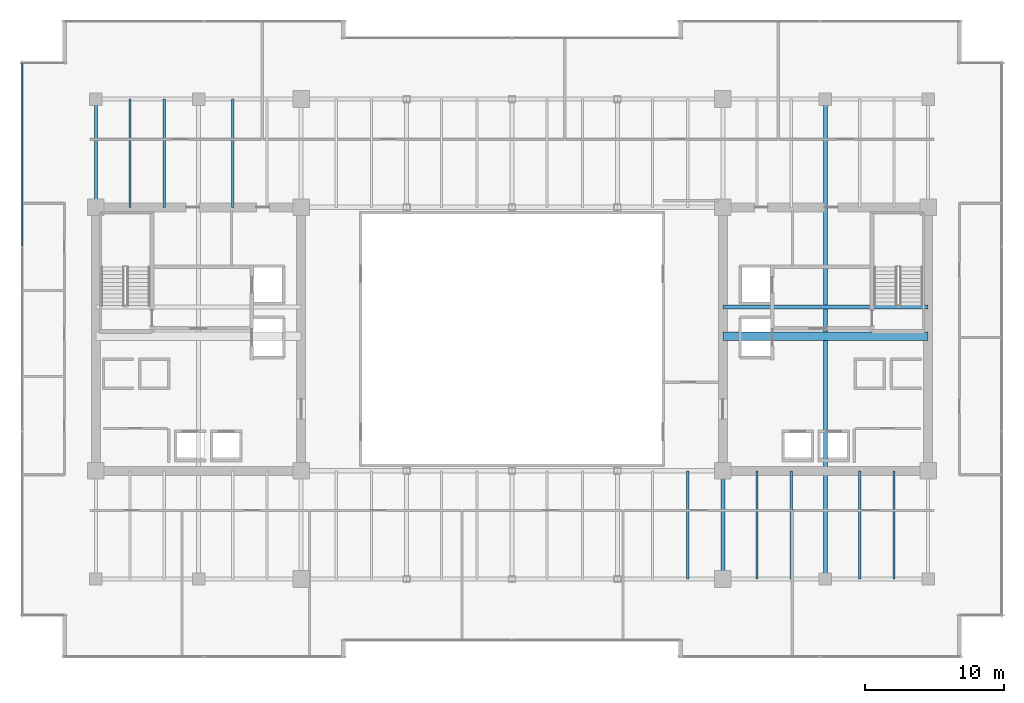
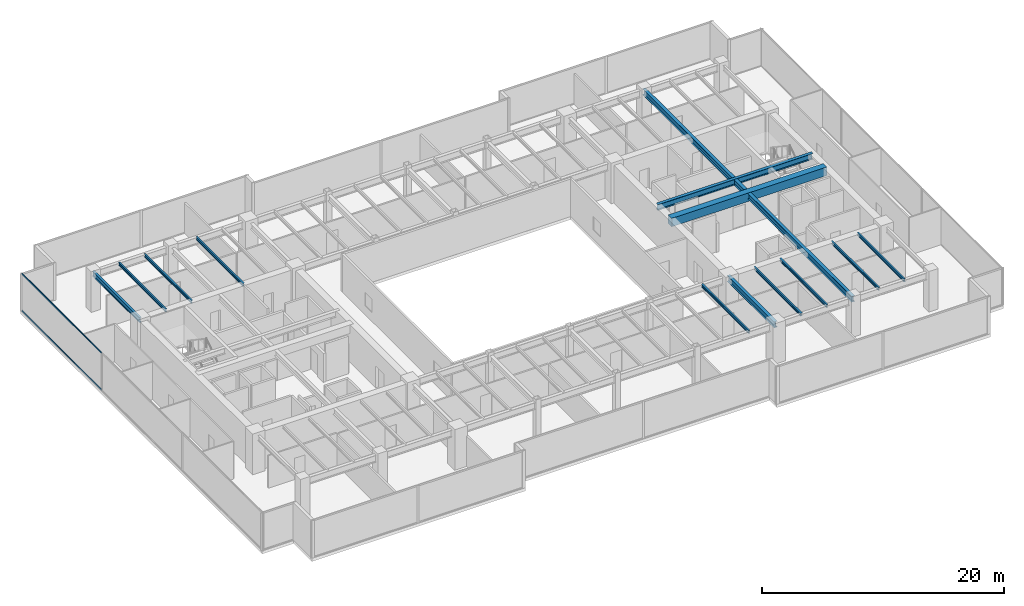
# One storey, part 13 of 30: 13 beams, 2 members, 1 element without a shape of its own.
"""IFC4 building model written with IfcOpenShell, lengths in metres."""

from ifc_helpers import new_model, si_unit, direction, frame, origin, origin_2d, place, context, subcontext, project, spatial, rectangle, hollow_rectangle, i_section, extrude, source, transform, mapped, material, layer, layer_set, material_profile, profile_set, type_object, type_shapes, element, aggregate, save


model = new_model("IFC4")

# Units and contexts
model_context = context("Model", 3, precision=1e-05, world=origin(), true_north=direction((0.0, 1.0)))
body_context = subcontext(model_context, "Body", "Model", "MODEL_VIEW")
ifc_project = project(units=[si_unit("LENGTHUNIT", "METRE"), si_unit("AREAUNIT", "SQUARE_METRE"), si_unit("VOLUMEUNIT", "CUBIC_METRE"), si_unit("PLANEANGLEUNIT", "RADIAN"), si_unit("MASSUNIT", "GRAM", prefix="KILO")], contexts=[model_context])

# Site, building, storey
site_placement = place(None, origin())
site = spatial("IfcSite", under=ifc_project, at=site_placement, CompositionType="ELEMENT")
building_placement = place(site_placement, origin())
building = spatial("IfcBuilding", under=site, at=building_placement, Name="Haelvirn Gate Laboratories", CompositionType="ELEMENT")
storey_placement = place(building_placement, frame((0.0, 0.0, 162.5)))
storey = spatial("IfcBuildingStorey", under=building, at=storey_placement, Name="L39", CompositionType="ELEMENT", Elevation=162.5)

# Beams
ifc_material_1 = material(Name="Steel SM355", Category="steel")
ifc_material_profile_1 = material_profile(ifc_material_1, i_section(OverallWidth=0.300048828125, OverallDepth=0.587890625, WebThickness=0.011962890625, FlangeThickness=0.02001953125, at=origin_2d()), Name="H-588x300x12x20")
ifc_profile_set_1 = profile_set([ifc_material_profile_1], Name="Steel SM355")
beam_type_1 = type_object("IfcBeamType", Name="BM-G-588", PredefinedType="BEAM", material=ifc_profile_set_1)
shared_shape_1 = source(origin(), body_context, "Body", "SweptSolid", [
    extrude(i_section(OverallWidth=0.300048828125, OverallDepth=0.587890625, WebThickness=0.011962890625, FlangeThickness=0.02001953125, at=origin_2d()), origin(), (0.0, 0.0, 1.0), 14.7998046875),
])
beam_1_placement = place(storey_placement, frame((52.60009765625, 26.6201171875, 3.49609375), z_axis=(1.0, 0.0, 0.0), x_axis=(0.0, 1.0, 0.0)))
element("IfcBeam", 1, at=beam_1_placement, inside=storey, type_object=beam_type_1, Name="L39 Stair ST2 Landing Header", PredefinedType="BEAM", context=body_context, shape_type="MappedRepresentation", body=[
    mapped(shared_shape_1, transform((0.0, 0.0, 0.0), scale=1.0)),
])
ifc_material_profile_2 = material_profile(ifc_material_1, i_section(OverallWidth=0.199951171875, OverallDepth=0.5, WebThickness=0.010009765625, FlangeThickness=0.01611328125, at=origin_2d()), Name="H-500x200x10x16")
ifc_profile_set_2 = profile_set([ifc_material_profile_2], Name="Steel SM355")
beam_type_2 = type_object("IfcBeamType", Name="BM-SP-500", PredefinedType="SPANDREL", material=ifc_profile_set_2)
shared_shape_2 = source(origin(), body_context, "Body", "SweptSolid", [
    extrude(i_section(OverallWidth=0.199951171875, OverallDepth=0.5, WebThickness=0.010009765625, FlangeThickness=0.01611328125, at=origin_2d()), origin(), (0.0, 0.0, 1.0), 7.800048828125),
])
type_shapes(beam_type_2, [shared_shape_2])
beam_2_placement = place(storey_placement, frame((7.39990234375, 33.800048828125, 3.5400390625), z_axis=(0.0, 1.0, 0.0), x_axis=(-1.0, 0.0, 0.0)))
element("IfcBeam", 2, at=beam_2_placement, inside=storey, type_object=beam_type_2, Name="L39 Perimeter Spandrel X7.4 (33.8-41.6)", PredefinedType="SPANDREL", context=body_context, shape_type="MappedRepresentation", body=[
    mapped(shared_shape_2, transform((0.0, 0.0, 0.0), scale=1.0)),
])
ifc_material_profile_3 = material_profile(ifc_material_1, i_section(OverallWidth=0.14990234375, OverallDepth=0.300048828125, WebThickness=0.006591796875, FlangeThickness=0.009033203125, at=origin_2d()), Name="H-300x150x6.5x9")
ifc_profile_set_3 = profile_set([ifc_material_profile_3], Name="Steel SM355")
beam_type_3 = type_object("IfcBeamType", Name="BM-J-300", PredefinedType="JOIST", material=ifc_profile_set_3)
shared_shape_3 = source(origin(), body_context, "Body", "SweptSolid", [
    extrude(i_section(OverallWidth=0.14990234375, OverallDepth=0.300048828125, WebThickness=0.006591796875, FlangeThickness=0.009033203125, at=origin_2d()), origin(), (0.0, 0.0, 1.0), 7.800048828125),
])
type_shapes(beam_type_3, [shared_shape_3])
for number, where, z_axis, x_axis, name in (
    (3, (9.8701171875, 33.800048828125, 3.639892578125), (0.0, 1.0, 0.0), (-1.0, 0.0, 0.0), "L39 Composite Lab Joist North X9.87"),
    (4, (12.330078125, 33.800048828125, 3.639892578125), (0.0, 1.0, 0.0), (-1.0, 0.0, 0.0), "L39 Composite Lab Joist North X12.33"),
    (5, (17.27001953125, 33.800048828125, 3.639892578125), (0.0, 1.0, 0.0), (-1.0, 0.0, 0.0), "L39 Composite Lab Joist North X17.27"),
    (6, (50.070068359375, 7.0, 3.639892578125), (0.0, 1.0, 0.0), (-1.0, 0.0, 0.0), "L39 Composite Lab Joist South X50.07"),
    (7, (55.070068359375, 7.0, 3.639892578125), (0.0, 1.0, 0.0), (-1.0, 0.0, 0.0), "L39 Composite Lab Joist South X55.07"),
    (8, (57.530029296875, 7.0, 3.639892578125), (0.0, 1.0, 0.0), (-1.0, 0.0, 0.0), "L39 Composite Lab Joist South X57.53"),
    (9, (62.469970703125, 7.0, 3.639892578125), (0.0, 1.0, 0.0), (-1.0, 0.0, 0.0), "L39 Composite Lab Joist South X62.47"),
    (10, (64.929931640625, 7.0, 3.639892578125), (0.0, 1.0, 0.0), (-1.0, 0.0, 0.0), "L39 Composite Lab Joist South X64.93"),
):
    element("IfcBeam", number, at=place(storey_placement, frame(where, z_axis=z_axis, x_axis=x_axis)), inside=storey, type_object=beam_type_3, Name=name, PredefinedType="JOIST", context=body_context, shape_type="MappedRepresentation", body=[
        mapped(shared_shape_3, transform((0.0, 0.0, 0.0), scale=1.0)),
    ])
shared_shape_4 = source(origin(), body_context, "Body", "SweptSolid", [
    extrude(i_section(OverallWidth=0.300048828125, OverallDepth=0.587890625, WebThickness=0.011962890625, FlangeThickness=0.02001953125, at=origin_2d()), origin(), (0.0, 0.0, 1.0), 34.60009765625),
])
beam_3_placement = place(storey_placement, frame((60.0, 7.0, 3.49609375), z_axis=(0.0, 1.0, 0.0), x_axis=(-1.0, 0.0, 0.0)))
element("IfcBeam", 11, at=beam_3_placement, inside=storey, type_object=beam_type_1, Name="L39 Frame Girder X60.0 (7.0-41.6)", PredefinedType="BEAM", context=body_context, shape_type="MappedRepresentation", body=[
    mapped(shared_shape_4, transform((0.0, 0.0, 0.0), scale=1.0)),
])
shared_shape_5 = source(origin(), body_context, "Body", "SweptSolid", [
    extrude(i_section(OverallWidth=0.300048828125, OverallDepth=0.587890625, WebThickness=0.011962890625, FlangeThickness=0.02001953125, at=origin_2d()), origin(), (0.0, 0.0, 1.0), 7.800048828125),
])
type_shapes(beam_type_1, [shared_shape_1, shared_shape_4, shared_shape_5])
beam_4_placement = place(storey_placement, frame((52.60009765625, 7.0, 3.49609375), z_axis=(0.0, 1.0, 0.0), x_axis=(-1.0, 0.0, 0.0)))
element("IfcBeam", 12, at=beam_4_placement, inside=storey, type_object=beam_type_1, Name="L39 Frame Girder X52.6 (7.0-14.8)", PredefinedType="BEAM", context=body_context, shape_type="MappedRepresentation", body=[
    mapped(shared_shape_5, transform((0.0, 0.0, 0.0), scale=1.0)),
])
ifc_material_2 = material(Name="Concrete C50/60", Category="concrete")
ifc_material_profile_4 = material_profile(ifc_material_2, rectangle(XDim=0.60009765625, YDim=0.85009765625, at=origin_2d()), Name="RCB-600x850")
ifc_profile_set_4 = profile_set([ifc_material_profile_4], Name="Concrete C50/60")
beam_type_4 = type_object("IfcBeamType", Name="BM-RCB-850", PredefinedType="LINTEL", material=ifc_profile_set_4)
shared_shape_6 = source(origin(), body_context, "Body", "SweptSolid", [
    extrude(rectangle(XDim=0.60009765625, YDim=0.85009765625, at=origin_2d()), origin(), (0.0, 0.0, 1.0), 14.7998046875),
])
type_shapes(beam_type_4, [shared_shape_6])
beam_5_placement = place(storey_placement, frame((52.60009765625, 24.5, 3.364990234375), z_axis=(1.0, 0.0, 0.0), x_axis=(0.0, 1.0, 0.0)))
element("IfcBeam", 13, at=beam_5_placement, inside=storey, type_object=beam_type_4, Name="L39 East Core Coupling Beam", PredefinedType="LINTEL", context=body_context, shape_type="MappedRepresentation", body=[
    mapped(shared_shape_6, transform((0.0, 0.0, 0.0), scale=1.0)),
])

# Curtain wall, members
ifc_material_3 = material(Name="Anodised bronze unitised aluminium & triple low-E glass", Category="aluminium")
ifc_layer = layer(ifc_material_3, 0.179931640625, Name="CW-SYS-3")
ifc_layer_set = layer_set([ifc_layer], Name="Anodised bronze unitised aluminium & triple low-E glass")
curtain_wall_type = type_object("IfcCurtainWallType", Name="CW-SYS-3", PredefinedType="NOTDEFINED", material=ifc_layer_set)
curtain_wall_placement = place(storey_placement, origin())
curtain_wall = element("IfcCurtainWall", 14, at=curtain_wall_placement, inside=storey, type_object=curtain_wall_type, Name="L39 Unitised Curtain Wall CW-L39-P0-E17", PredefinedType="NOTDEFINED")
ifc_material_4 = material(Name="Extruded aluminium 6063-T6 (anodised bronze)", Category="aluminium")
ifc_material_profile_5 = material_profile(ifc_material_4, hollow_rectangle(XDim=0.06494140625, YDim=0.139892578125, WallThickness=0.00390625, at=origin_2d()), Name="CWT-140x65x4")
ifc_profile_set_5 = profile_set([ifc_material_profile_5], Name="Extruded aluminium 6063-T6 (anodised bronze)")
member_type = type_object("IfcMemberType", Name="CWT-T140", PredefinedType="USERDEFINED", material=ifc_profile_set_5)
shared_shape_7 = source(origin(), body_context, "Body", "SweptSolid", [
    extrude(hollow_rectangle(XDim=0.06494140625, YDim=0.139892578125, WallThickness=0.00390625, at=origin_2d()), origin(), (0.0, 0.0, 1.0), 13.220947265625),
])
type_shapes(member_type, [shared_shape_7])
member_1_placement = place(storey_placement, frame((2.10009765625, 44.22509765625, 0.032470703125), z_axis=(0.0, -1.0, 0.0), x_axis=(1.0, 0.0, 0.0)))
member_1 = element("IfcMember", 15, at=member_1_placement, type_object=member_type, Name="CW3 transom 1.1", ObjectType="TRANSOM", PredefinedType="USERDEFINED", context=body_context, shape_type="MappedRepresentation", body=[
    mapped(shared_shape_7, transform((0.0, 0.0, 0.0), scale=1.0)),
])
member_2_placement = place(storey_placement, frame((2.10009765625, 44.22509765625, 3.757568359375), z_axis=(0.0, -1.0, 0.0), x_axis=(1.0, 0.0, 0.0)))
member_2 = element("IfcMember", 16, at=member_2_placement, type_object=member_type, Name="CW3 transom 1.2", ObjectType="TRANSOM", PredefinedType="USERDEFINED", context=body_context, shape_type="MappedRepresentation", body=[
    mapped(shared_shape_7, transform((0.0, 0.0, 0.0), scale=1.0)),
])
aggregate(curtain_wall, [member_1, member_2])

save(model, "model.ifc")
